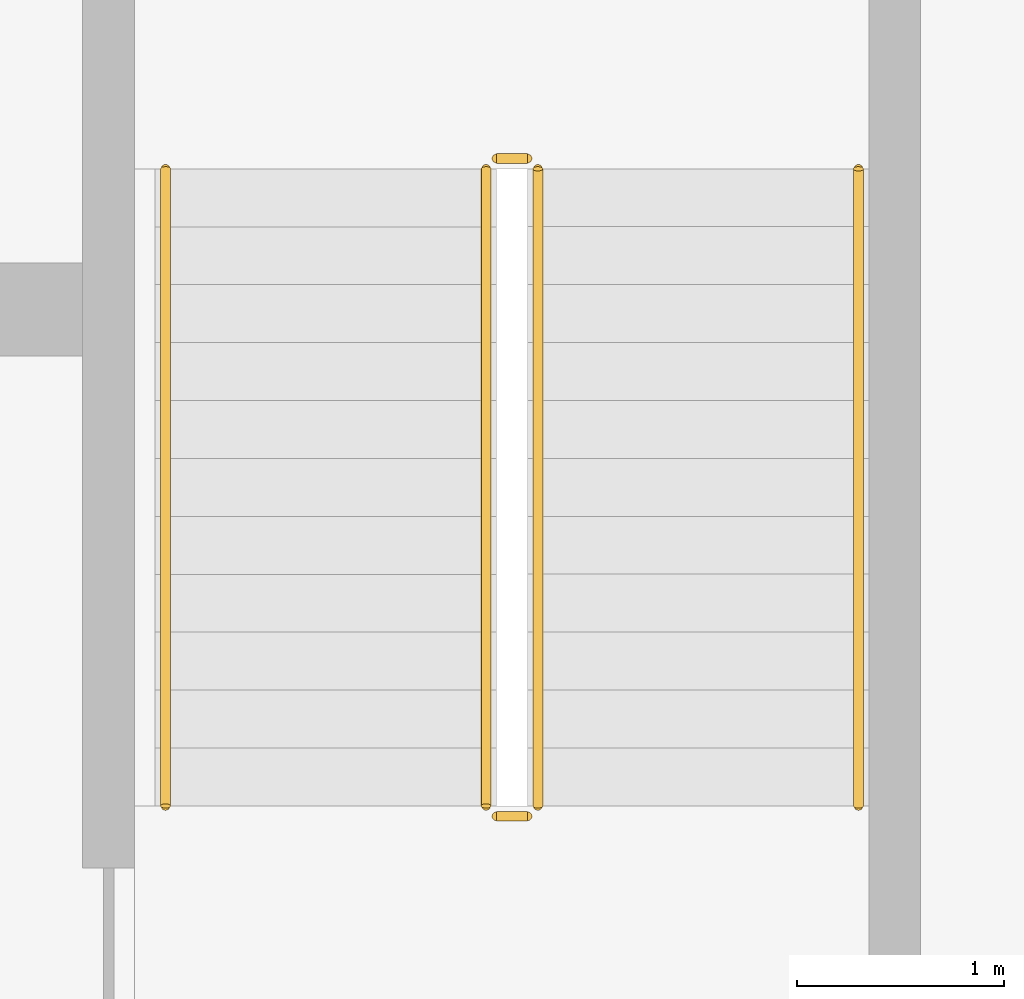
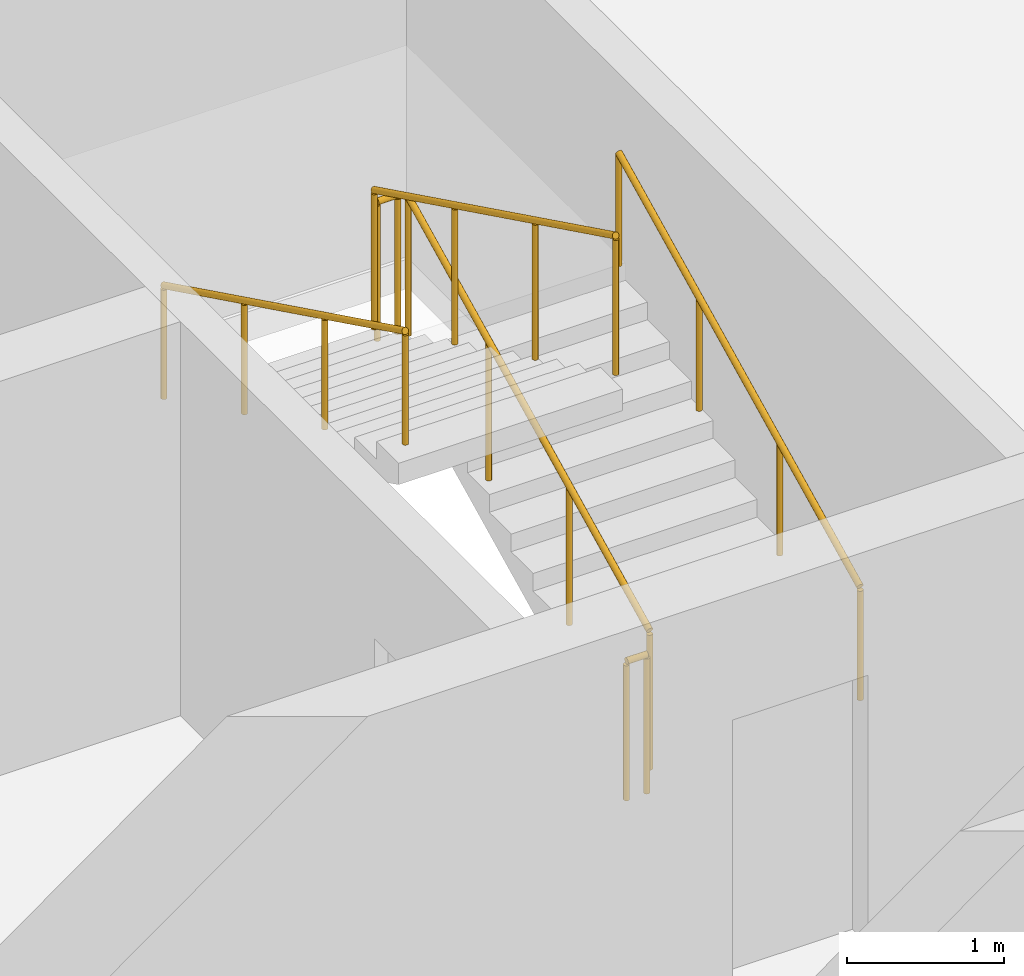
# One storey, part 17 of 33: 6 railings.
"""IFC4 building model written with IfcOpenShell, lengths in metres."""

from ifc_helpers import new_model, si_unit, direction, frame, origin, origin_2d, place, context, subcontext, project, spatial, circle, extrude, material, type_object, element, save


model = new_model("IFC4")

# Units and contexts
model_context = context("Model", 3, precision=1e-05, world=origin(), true_north=direction((0.0, 1.0)))
body_context = subcontext(model_context, "Body", "Model", "MODEL_VIEW")
ifc_project = project(units=[si_unit("LENGTHUNIT", "METRE"), si_unit("AREAUNIT", "SQUARE_METRE"), si_unit("VOLUMEUNIT", "CUBIC_METRE"), si_unit("PLANEANGLEUNIT", "RADIAN"), si_unit("MASSUNIT", "GRAM", prefix="KILO")], contexts=[model_context])

# Site, building, storey
site_placement = place(None, origin())
site = spatial("IfcSite", under=ifc_project, at=site_placement, CompositionType="ELEMENT")
building_placement = place(site_placement, origin())
building = spatial("IfcBuilding", under=site, at=building_placement, Name="Poui Terraces", CompositionType="ELEMENT")
storey_placement = place(building_placement, frame((0.0, 0.0, 138.89990234375)))
storey = spatial("IfcBuildingStorey", under=building, at=storey_placement, Name="L38", CompositionType="ELEMENT", Elevation=138.89990234375)

# Railings
ifc_material_1 = material(Name="Galvanised steel balustrade", Category="steel")
railing_type_1 = type_object("IfcRailingType", Name="STAIR GUARD 1100", PredefinedType="GUARDRAIL", material=ifc_material_1)
railing_1_placement = place(storey_placement, frame((70.27490234375, 16.60009765625, 0.1376953125)))
element("IfcRailing", 1, at=railing_1_placement, inside=storey, type_object=railing_type_1, Name="L38 ST-CE stair guard 1", PredefinedType="GUARDRAIL", context=body_context, shape_type="SweptSolid", body=[
    extrude(circle(Radius=0.02392578125, at=origin_2d()), frame((0.0, 0.0, 1.076171875), z_axis=(0.0, 0.897606190399, 0.440798283751), x_axis=(-1.0, 0.0, 0.0)), (0.0, 0.0, 1.0), 3.43115234375),
    extrude(circle(Radius=0.02099609375, at=origin_2d()), origin(), (0.0, 0.0, 1.0), 1.052001953125),
    extrude(circle(Radius=0.02099609375, at=origin_2d()), frame((0.0, 1.026611328125, 0.504150390625)), (0.0, 0.0, 1.0), 1.052001953125),
    extrude(circle(Radius=0.02099609375, at=origin_2d()), frame((0.0, 2.05322265625, 1.00830078125)), (0.0, 0.0, 1.0), 1.052001953125),
    extrude(circle(Radius=0.02099609375, at=origin_2d()), frame((0.0, 3.079833984375, 1.512451171875)), (0.0, 0.0, 1.0), 1.052001953125),
])
railing_2_placement = place(storey_placement, frame((70.22509765625, 19.72998046875, 1.650146484375)))
element("IfcRailing", 2, at=railing_2_placement, inside=storey, type_object=railing_type_1, Name="L38 ST-CE stair guard 2", PredefinedType="GUARDRAIL", context=body_context, shape_type="SweptSolid", body=[
    extrude(circle(Radius=0.02392578125, at=origin_2d()), frame((0.0, 0.0, 1.076171875), z_axis=(-1.0, 0.0, 0.0), x_axis=(0.0, -1.0, 0.0)), (0.0, 0.0, 1.0), 0.150146484375),
    extrude(circle(Radius=0.02099609375, at=origin_2d()), origin(), (0.0, 0.0, 1.0), 1.052001953125),
    extrude(circle(Radius=0.02099609375, at=origin_2d()), frame((-0.150146484375, 0.0, 0.0)), (0.0, 0.0, 1.0), 1.052001953125),
])
railing_3_placement = place(storey_placement, frame((70.02490234375, 19.679931640625, 1.78759765625)))
element("IfcRailing", 3, at=railing_3_placement, inside=storey, type_object=railing_type_1, Name="L38 ST-CE stair guard 3", PredefinedType="GUARDRAIL", context=body_context, shape_type="SweptSolid", body=[
    extrude(circle(Radius=0.02392578125, at=origin_2d()), frame((0.0, 0.0, 1.076171875), z_axis=(0.0, -0.897606190399, 0.440798283751), x_axis=(1.0, 0.0, 0.0)), (0.0, 0.0, 1.0), 3.43115234375),
    extrude(circle(Radius=0.02099609375, at=origin_2d()), origin(), (0.0, 0.0, 1.0), 1.052001953125),
    extrude(circle(Radius=0.02099609375, at=origin_2d()), frame((0.0, -1.026611328125, 0.504150390625)), (0.0, 0.0, 1.0), 1.052001953125),
    extrude(circle(Radius=0.02099609375, at=origin_2d()), frame((0.0, -2.05322265625, 1.00830078125)), (0.0, 0.0, 1.0), 1.052001953125),
    extrude(circle(Radius=0.02099609375, at=origin_2d()), frame((0.0, -3.079833984375, 1.512451171875)), (0.0, 0.0, 1.0), 1.052001953125),
])
railing_4_placement = place(storey_placement, frame((70.22509765625, 16.550048828125, 0.0)))
element("IfcRailing", 4, at=railing_4_placement, inside=storey, type_object=railing_type_1, Name="L38 ST-CE stair guard 4", PredefinedType="GUARDRAIL", context=body_context, shape_type="SweptSolid", body=[
    extrude(circle(Radius=0.02392578125, at=origin_2d()), frame((0.0, 0.0, 1.076171875), z_axis=(-1.0, 0.0, 0.0), x_axis=(0.0, -1.0, 0.0)), (0.0, 0.0, 1.0), 0.150146484375),
    extrude(circle(Radius=0.02099609375, at=origin_2d()), origin(), (0.0, 0.0, 1.0), 1.052001953125),
    extrude(circle(Radius=0.02099609375, at=origin_2d()), frame((-0.150146484375, 0.0, 0.0)), (0.0, 0.0, 1.0), 1.052001953125),
])
ifc_material_2 = material(Name="Stainless steel handrail", Category="steel")
railing_type_2 = type_object("IfcRailingType", Name="STAIR HANDRAIL 900", PredefinedType="HANDRAIL", material=ifc_material_2)
railing_5_placement = place(storey_placement, frame((71.824951171875, 16.60009765625, 0.1376953125)))
element("IfcRailing", 5, at=railing_5_placement, inside=storey, type_object=railing_type_2, Name="L38 ST-CE stair handrail 1", PredefinedType="HANDRAIL", context=body_context, shape_type="SweptSolid", body=[
    extrude(circle(Radius=0.02392578125, at=origin_2d()), frame((0.0, 0.0, 0.8759765625), z_axis=(0.0, 0.897606190399, 0.440798283751), x_axis=(-1.0, 0.0, 0.0)), (0.0, 0.0, 1.0), 3.43115234375),
    extrude(circle(Radius=0.02099609375, at=origin_2d()), origin(), (0.0, 0.0, 1.0), 0.851806640625),
    extrude(circle(Radius=0.02099609375, at=origin_2d()), frame((0.0, 1.026611328125, 0.504150390625)), (0.0, 0.0, 1.0), 0.851806640625),
    extrude(circle(Radius=0.02099609375, at=origin_2d()), frame((0.0, 2.05322265625, 1.00830078125)), (0.0, 0.0, 1.0), 0.851806640625),
    extrude(circle(Radius=0.02099609375, at=origin_2d()), frame((0.0, 3.079833984375, 1.512451171875)), (0.0, 0.0, 1.0), 0.851806640625),
])
railing_6_placement = place(storey_placement, frame((68.47509765625, 19.679931640625, 1.78759765625)))
element("IfcRailing", 6, at=railing_6_placement, inside=storey, type_object=railing_type_2, Name="L38 ST-CE stair handrail 2", PredefinedType="HANDRAIL", context=body_context, shape_type="SweptSolid", body=[
    extrude(circle(Radius=0.02392578125, at=origin_2d()), frame((0.0, 0.0, 0.8759765625), z_axis=(0.0, -0.897606190399, 0.440798283751), x_axis=(1.0, 0.0, 0.0)), (0.0, 0.0, 1.0), 3.43115234375),
    extrude(circle(Radius=0.02099609375, at=origin_2d()), origin(), (0.0, 0.0, 1.0), 0.851806640625),
    extrude(circle(Radius=0.02099609375, at=origin_2d()), frame((0.0, -1.026611328125, 0.504150390625)), (0.0, 0.0, 1.0), 0.851806640625),
    extrude(circle(Radius=0.02099609375, at=origin_2d()), frame((0.0, -2.05322265625, 1.00830078125)), (0.0, 0.0, 1.0), 0.851806640625),
    extrude(circle(Radius=0.02099609375, at=origin_2d()), frame((0.0, -3.079833984375, 1.512451171875)), (0.0, 0.0, 1.0), 0.851806640625),
])

save(model, "model.ifc")
